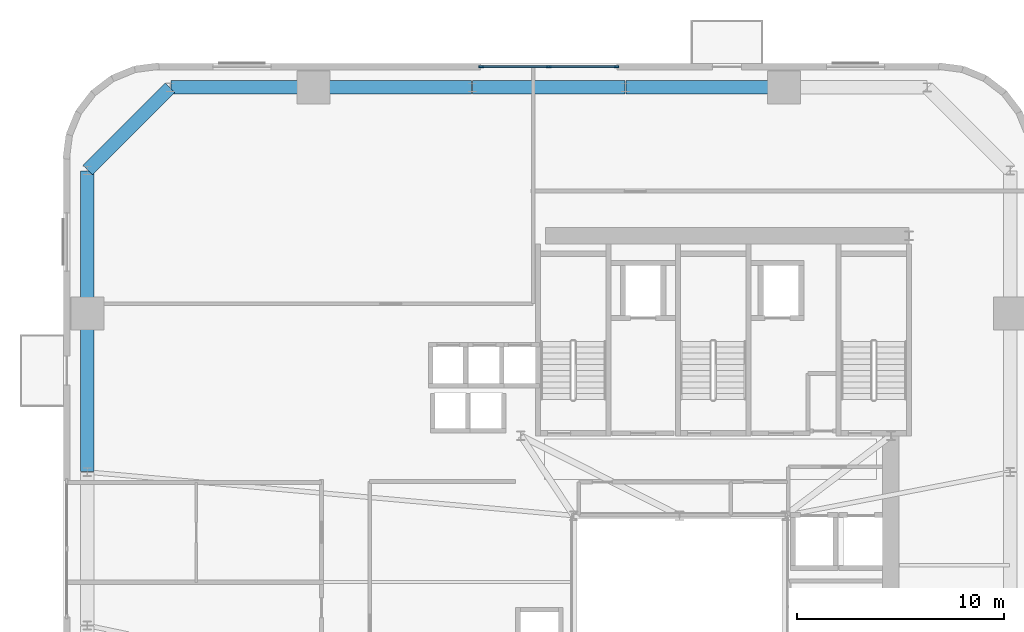
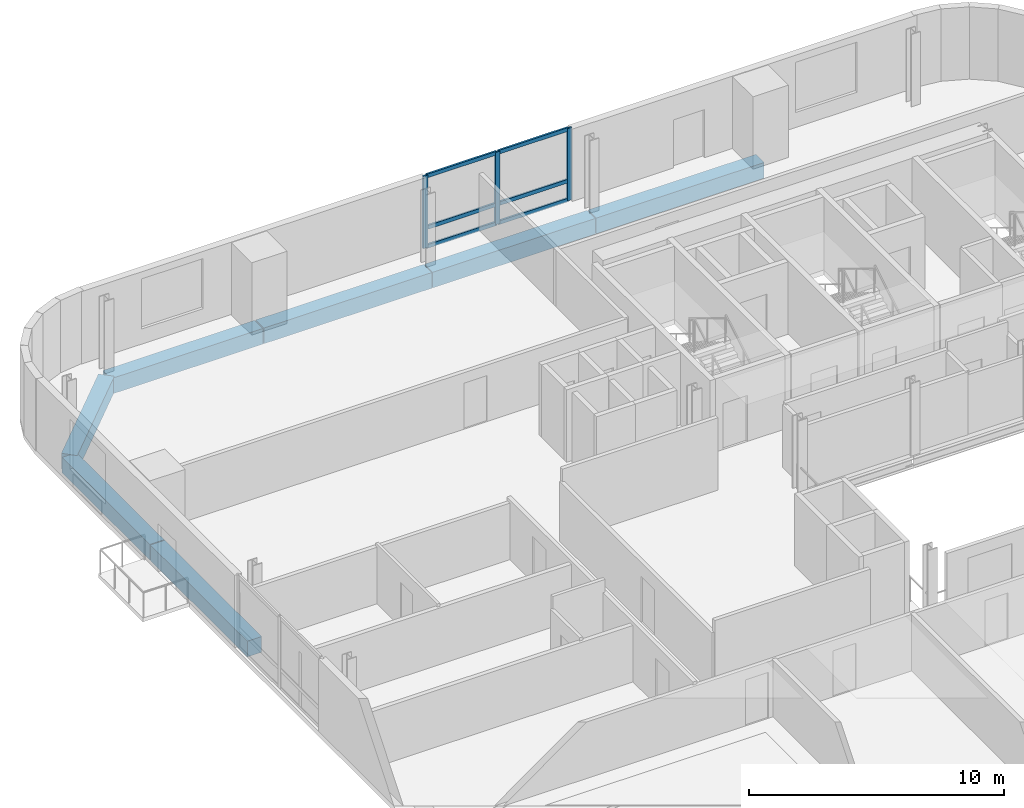
# One storey, part 4 of 12: 9 members, 7 beams, 1 element without a shape of its own.
"""IFC4 building model written with IfcOpenShell, lengths in metres."""

from ifc_helpers import new_model, si_unit, direction, frame, origin, origin_2d, place, context, subcontext, project, spatial, rectangle, extrude, source, transform, mapped, material, material_profile, profile_set, type_object, element, aggregate, save


model = new_model("IFC4")

# Units and contexts
model_context = context("Model", 3, precision=1e-05, world=origin(), true_north=direction((0.0, 1.0)))
body_context = subcontext(model_context, "Body", "Model", "MODEL_VIEW")
ifc_project = project(units=[si_unit("LENGTHUNIT", "METRE"), si_unit("AREAUNIT", "SQUARE_METRE"), si_unit("VOLUMEUNIT", "CUBIC_METRE"), si_unit("PLANEANGLEUNIT", "RADIAN"), si_unit("MASSUNIT", "GRAM", prefix="KILO")], contexts=[model_context])

# Site, building, storey
site_placement = place(None, origin())
site = spatial("IfcSite", under=ifc_project, at=site_placement, CompositionType="ELEMENT")
building_placement = place(site_placement, origin())
building = spatial("IfcBuilding", under=site, at=building_placement, Name="Vardaveli Station Tower", CompositionType="ELEMENT")
storey_placement = place(building_placement, frame((0.0, 0.0, 118.699951171875)))
storey = spatial("IfcBuildingStorey", under=building, at=storey_placement, Name="L30", CompositionType="ELEMENT", Elevation=118.699951171875)

# Beams
ifc_material_1 = material(Name="Precast concrete C45/55", Category="concrete")
ifc_material_profile_1 = material_profile(ifc_material_1, rectangle(XDim=0.64990234375, YDim=0.75, at=origin_2d()), Name="LPB 650x750")
ifc_profile_set_1 = profile_set([ifc_material_profile_1], Name="Precast concrete C45/55")
beam_type = type_object("IfcBeamType", Name="BM-LPB-750", PredefinedType="BEAM", material=ifc_profile_set_1)
shared_shape_1 = source(origin(), body_context, "Body", "SweptSolid", [
    extrude(rectangle(XDim=0.64990234375, YDim=0.75, at=origin_2d()), origin(), (0.0, 0.0, 1.0), 7.60009765625),
])
for number, where, z_axis, x_axis, name in (
    (1, (41.320068359375, 47.449951171875, -0.614990234375), (-1.0, 0.0, 0.0), (0.0, -1.0, 0.0), "RBM-L30-13"),
    (2, (26.280029296875, 47.449951171875, -0.614990234375), (-1.0, 0.0, 0.0), (0.0, -1.0, 0.0), "RBM-L30-15"),
    (3, (7.75, 36.52001953125, -0.614990234375), (0.0, -1.0, 0.0), (1.0, 0.0, 0.0), "RBM-L30-19"),
):
    element("IfcBeam", number, at=place(storey_placement, frame(where, z_axis=z_axis, x_axis=x_axis)), inside=storey, type_object=beam_type, Name=name, PredefinedType="BEAM", context=body_context, shape_type="MappedRepresentation", body=[
        mapped(shared_shape_1, transform((0.0, 0.0, 0.0), scale=1.0)),
    ])
shared_shape_2 = source(origin(), body_context, "Body", "SweptSolid", [
    extrude(rectangle(XDim=0.64990234375, YDim=0.75, at=origin_2d()), origin(), (0.0, 0.0, 1.0), 7.35986328125),
])
beam_1_placement = place(storey_placement, frame((33.679931640625, 47.449951171875, -0.614990234375), z_axis=(-1.0, 0.0, 0.0), x_axis=(0.0, -1.0, 0.0)))
element("IfcBeam", 4, at=beam_1_placement, inside=storey, type_object=beam_type, Name="RBM-L30-14", PredefinedType="BEAM", context=body_context, shape_type="MappedRepresentation", body=[
    mapped(shared_shape_2, transform((0.0, 0.0, 0.0), scale=1.0)),
])
shared_shape_3 = source(origin(), body_context, "Body", "SweptSolid", [
    extrude(rectangle(XDim=0.64990234375, YDim=0.75, at=origin_2d()), origin(), (0.0, 0.0, 1.0), 6.869873046875),
])
for number, where, z_axis, x_axis, name in (
    (5, (18.639892578125, 47.449951171875, -0.614990234375), (-1.0, 0.0, 0.0), (0.0, -1.0, 0.0), "RBM-L30-16"),
    (6, (7.75, 43.429931640625, -0.614990234375), (0.0, -1.0, 0.0), (1.0, 0.0, 0.0), "RBM-L30-18"),
):
    element("IfcBeam", number, at=place(storey_placement, frame(where, z_axis=z_axis, x_axis=x_axis)), inside=storey, type_object=beam_type, Name=name, PredefinedType="BEAM", context=body_context, shape_type="MappedRepresentation", body=[
        mapped(shared_shape_3, transform((0.0, 0.0, 0.0), scale=1.0)),
    ])
shared_shape_4 = source(origin(), body_context, "Body", "SweptSolid", [
    extrude(rectangle(XDim=0.64990234375, YDim=0.75, at=origin_2d()), origin(), (0.0, 0.0, 1.0), 5.61669921875),
])
beam_2_placement = place(storey_placement, frame((11.73583984375, 47.435791015625, -0.614990234375), z_axis=(-0.707106781187, -0.707106781187, 0.0), x_axis=(0.707106781187, -0.707106781187, 0.0)))
element("IfcBeam", 7, at=beam_2_placement, inside=storey, type_object=beam_type, Name="RBM-L30-17", PredefinedType="BEAM", context=body_context, shape_type="MappedRepresentation", body=[
    mapped(shared_shape_4, transform((0.0, 0.0, 0.0), scale=1.0)),
])

# Curtain wall, members
ifc_material_2 = material(Name="Travertine stone and solar-control glass", Category="masonry")
curtain_wall_type = type_object("IfcCurtainWallType", Name="CW-SYS-2", PredefinedType="NOTDEFINED", material=ifc_material_2)
curtain_wall_placement = place(storey_placement, origin())
curtain_wall = element("IfcCurtainWall", 8, at=curtain_wall_placement, inside=storey, type_object=curtain_wall_type, Name="CW-L30-N", PredefinedType="NOTDEFINED")
ifc_material_3 = material(Name="Anodised aluminium alloy 6063-T6", Category="aluminium")
ifc_material_profile_2 = material_profile(ifc_material_3, rectangle(XDim=0.0849609375, YDim=0.179931640625, at=origin_2d()), Name="CWT 85x180")
ifc_profile_set_2 = profile_set([ifc_material_profile_2], Name="Anodised aluminium alloy 6063-T6")
member_type_1 = type_object("IfcMemberType", Name="CW-SYS-2-TRAN", PredefinedType="NOTDEFINED", material=ifc_profile_set_2)
shared_shape_5 = source(origin(), body_context, "Body", "SweptSolid", [
    extrude(rectangle(XDim=0.0849609375, YDim=0.179931640625, at=origin_2d()), origin(), (0.0, 0.0, 1.0), 3.172607421875),
])
member_1_placement = place(storey_placement, frame((33.215087890625, 48.43994140625, 0.04248046875), z_axis=(-1.0, 0.0, 0.0), x_axis=(0.0, -1.0, 0.0)))
member_1 = element("IfcMember", 9, at=member_1_placement, type_object=member_type_1, Name="CW-2 transom 1.1", ObjectType="TRANSOM", PredefinedType="USERDEFINED", context=body_context, shape_type="MappedRepresentation", body=[
    mapped(shared_shape_5, transform((0.0, 0.0, 0.0), scale=1.0)),
])
member_2_placement = place(storey_placement, frame((33.215087890625, 48.43994140625, 0.949951171875), z_axis=(-1.0, 0.0, 0.0), x_axis=(0.0, -1.0, 0.0)))
member_2 = element("IfcMember", 10, at=member_2_placement, type_object=member_type_1, Name="CW-2 transom 1.2", ObjectType="TRANSOM", PredefinedType="USERDEFINED", context=body_context, shape_type="MappedRepresentation", body=[
    mapped(shared_shape_5, transform((0.0, 0.0, 0.0), scale=1.0)),
])
member_3_placement = place(storey_placement, frame((33.215087890625, 48.43994140625, 3.41748046875), z_axis=(-1.0, 0.0, 0.0), x_axis=(0.0, -1.0, 0.0)))
member_3 = element("IfcMember", 11, at=member_3_placement, type_object=member_type_1, Name="CW-2 transom 1.3", ObjectType="TRANSOM", PredefinedType="USERDEFINED", context=body_context, shape_type="MappedRepresentation", body=[
    mapped(shared_shape_5, transform((0.0, 0.0, 0.0), scale=1.0)),
])
member_4_placement = place(storey_placement, frame((29.95751953125, 48.43994140625, 0.04248046875), z_axis=(-1.0, 0.0, 0.0), x_axis=(0.0, -1.0, 0.0)))
member_4 = element("IfcMember", 12, at=member_4_placement, type_object=member_type_1, Name="CW-2 transom 2.1", ObjectType="TRANSOM", PredefinedType="USERDEFINED", context=body_context, shape_type="MappedRepresentation", body=[
    mapped(shared_shape_5, transform((0.0, 0.0, 0.0), scale=1.0)),
])
member_5_placement = place(storey_placement, frame((29.95751953125, 48.43994140625, 0.949951171875), z_axis=(-1.0, 0.0, 0.0), x_axis=(0.0, -1.0, 0.0)))
member_5 = element("IfcMember", 13, at=member_5_placement, type_object=member_type_1, Name="CW-2 transom 2.2", ObjectType="TRANSOM", PredefinedType="USERDEFINED", context=body_context, shape_type="MappedRepresentation", body=[
    mapped(shared_shape_5, transform((0.0, 0.0, 0.0), scale=1.0)),
])
member_6_placement = place(storey_placement, frame((29.95751953125, 48.43994140625, 3.41748046875), z_axis=(-1.0, 0.0, 0.0), x_axis=(0.0, -1.0, 0.0)))
member_6 = element("IfcMember", 14, at=member_6_placement, type_object=member_type_1, Name="CW-2 transom 2.3", ObjectType="TRANSOM", PredefinedType="USERDEFINED", context=body_context, shape_type="MappedRepresentation", body=[
    mapped(shared_shape_5, transform((0.0, 0.0, 0.0), scale=1.0)),
])
ifc_material_profile_3 = material_profile(ifc_material_3, rectangle(XDim=0.0849609375, YDim=0.219970703125, at=origin_2d()), Name="CWM 85x220")
ifc_profile_set_3 = profile_set([ifc_material_profile_3], Name="Anodised aluminium alloy 6063-T6")
member_type_2 = type_object("IfcMemberType", Name="CW-SYS-2-MULL", PredefinedType="MULLION", material=ifc_profile_set_3)
shared_shape_6 = source(origin(), body_context, "Body", "SweptSolid", [
    extrude(rectangle(XDim=0.0849609375, YDim=0.219970703125, at=origin_2d()), origin(), (0.0, 0.0, 1.0), 3.4599609375),
])
member_7_placement = place(storey_placement, frame((33.257568359375, 48.43994140625, 0.0), z_axis=(0.0, 0.0, 1.0), x_axis=(0.0, -1.0, 0.0)))
member_7 = element("IfcMember", 15, at=member_7_placement, type_object=member_type_2, Name="CW-2 mullion 1", PredefinedType="MULLION", context=body_context, shape_type="MappedRepresentation", body=[
    mapped(shared_shape_6, transform((0.0, 0.0, 0.0), scale=1.0)),
])
member_8_placement = place(storey_placement, frame((30.0, 48.43994140625, 0.0), z_axis=(0.0, 0.0, 1.0), x_axis=(0.0, -1.0, 0.0)))
member_8 = element("IfcMember", 16, at=member_8_placement, type_object=member_type_2, Name="CW-2 mullion 2", PredefinedType="MULLION", context=body_context, shape_type="MappedRepresentation", body=[
    mapped(shared_shape_6, transform((0.0, 0.0, 0.0), scale=1.0)),
])
member_9_placement = place(storey_placement, frame((26.742431640625, 48.43994140625, 0.0), z_axis=(0.0, 0.0, 1.0), x_axis=(0.0, -1.0, 0.0)))
member_9 = element("IfcMember", 17, at=member_9_placement, type_object=member_type_2, Name="CW-2 mullion 3", PredefinedType="MULLION", context=body_context, shape_type="MappedRepresentation", body=[
    mapped(shared_shape_6, transform((0.0, 0.0, 0.0), scale=1.0)),
])
aggregate(curtain_wall, [member_7, member_8, member_9, member_1, member_2, member_3, member_4, member_5, member_6])

save(model, "model.ifc")
